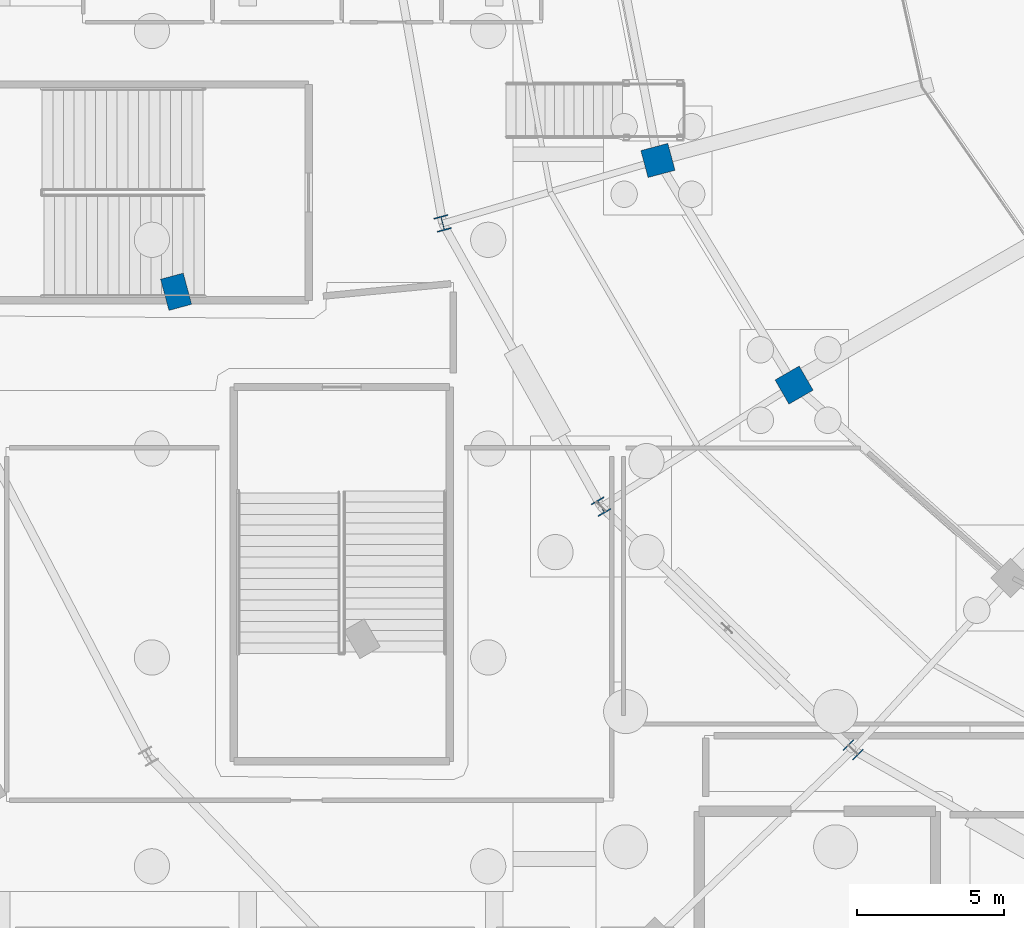
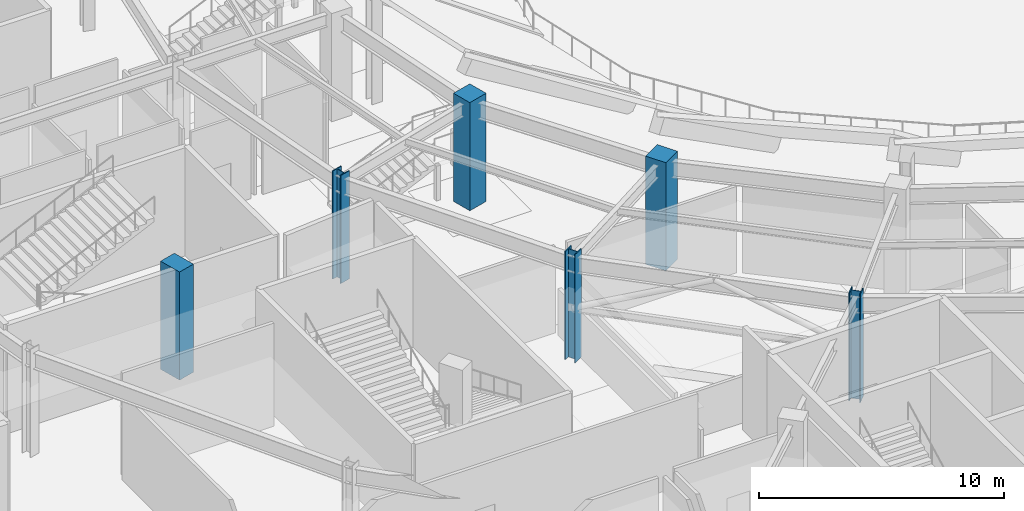
# One storey, part 12 of 93: 6 columns.
"""IFC4 building model written with IfcOpenShell, lengths in metres."""

from ifc_helpers import new_model, si_unit, direction, frame, origin, origin_2d, place, context, subcontext, project, spatial, rectangle, i_section, extrude, material, material_profile, profile_set, type_object, element, save


model = new_model("IFC4")

# Units and contexts
model_context = context("Model", 3, precision=1e-05, world=origin(), true_north=direction((0.0, 1.0)))
body_context = subcontext(model_context, "Body", "Model", "MODEL_VIEW")
ifc_project = project(units=[si_unit("LENGTHUNIT", "METRE"), si_unit("AREAUNIT", "SQUARE_METRE"), si_unit("VOLUMEUNIT", "CUBIC_METRE"), si_unit("PLANEANGLEUNIT", "RADIAN"), si_unit("MASSUNIT", "GRAM", prefix="KILO")], contexts=[model_context])

# Site, building, storey
site_placement = place(None, origin())
site = spatial("IfcSite", under=ifc_project, at=site_placement, CompositionType="ELEMENT")
building_placement = place(site_placement, origin())
building = spatial("IfcBuilding", under=site, at=building_placement, Name="Kalgoora Escarpment Arena", CompositionType="ELEMENT")
storey_placement = place(building_placement, origin())
storey = spatial("IfcBuildingStorey", under=building, at=storey_placement, Name="L00", CompositionType="ELEMENT", Elevation=0.0)

# Columns
ifc_material_1 = material(Name="Structural steel Grade 350 (350 MPa)", Category="steel")
ifc_material_profile_1 = material_profile(ifc_material_1, i_section(OverallWidth=0.5, OverallDepth=0.5, WebThickness=0.02490234375, FlangeThickness=0.0419921875, at=origin_2d()))
ifc_profile_set_1 = profile_set([ifc_material_profile_1], Name="Structural steel Grade 350 (350 MPa)")
column_type_1 = type_object("IfcColumnType", Name="COL-COL-500WC440", PredefinedType="COLUMN", material=ifc_profile_set_1)
for number, where, z_axis, x_axis, name in (
    (1, (40.239990234375, 53.647216796875, 0.0), (0.0, 0.0, 1.0), (-0.965925826289, -0.258819045103, 0.0), "L00 structural column COL-RMAIN-R14"),
    (2, (45.634521484375, 44.0, 0.0), (0.0, 0.0, 1.0), (-0.866025403784, -0.5, 0.0), "L00 structural column COL-RMAIN-R15"),
    (3, (54.21630859375, 35.7158203125, 0.0), (0.0, 0.0, 1.0), (-0.707106781187, -0.707106781187, 0.0), "L00 structural column COL-RMAIN-R16"),
):
    element("IfcColumn", number, at=place(storey_placement, frame(where, z_axis=z_axis, x_axis=x_axis)), inside=storey, type_object=column_type_1, Name=name, PredefinedType="COLUMN", context=body_context, shape_type="SweptSolid", body=[
        extrude(i_section(OverallWidth=0.5, OverallDepth=0.5, WebThickness=0.02490234375, FlangeThickness=0.0419921875, at=origin_2d()), origin(), (0.0, 0.0, 1.0), 5.39990234375),
    ])
ifc_material_2 = material(Name="Concrete N50 (fc' 50 MPa)", Category="concrete")
ifc_material_profile_2 = material_profile(ifc_material_2, rectangle(XDim=0.800048828125, YDim=1.10009765625, at=origin_2d()))
ifc_profile_set_2 = profile_set([ifc_material_profile_2], Name="Concrete N50 (fc' 50 MPa)")
column_type_2 = type_object("IfcColumnType", Name="COL-COL-RC1100x800", PredefinedType="COLUMN", material=ifc_profile_set_2)
column_placement = place(storey_placement, frame((31.160400390625, 51.31787109375, 0.0), z_axis=(0.0, 0.0, 1.0), x_axis=(-0.965925826289, -0.258819045103, 0.0)))
element("IfcColumn", 4, at=column_placement, inside=storey, type_object=column_type_2, Name="L00 structural column COL-RCONC1-R14", PredefinedType="COLUMN", context=body_context, shape_type="SweptSolid", body=[
    extrude(rectangle(XDim=0.800048828125, YDim=1.10009765625, at=origin_2d()), origin(), (0.0, 0.0, 1.0), 5.39990234375),
])
ifc_material_3 = material(Name="Concrete N50 (fc' 50 MPa)", Category="concrete")
ifc_material_profile_3 = material_profile(ifc_material_3, rectangle(XDim=0.949951171875, YDim=0.949951171875, at=origin_2d()))
ifc_profile_set_3 = profile_set([ifc_material_profile_3], Name="Concrete N50 (fc' 50 MPa)")
column_type_3 = type_object("IfcColumnType", Name="COL-COL-RC950x950", PredefinedType="COLUMN", material=ifc_profile_set_3)
for number, where, z_axis, x_axis, name in (
    (5, (47.5712890625, 55.790283203125, 0.0), (0.0, 0.0, 1.0), (-0.965925826289, -0.258819045103, 0.0), "L00 structural column COL-RMID-R14"),
    (6, (52.207763671875, 48.139892578125, 0.0), (0.0, 0.0, 1.0), (-0.866025403784, -0.5, 0.0), "L00 structural column COL-RMID-R15"),
):
    element("IfcColumn", number, at=place(storey_placement, frame(where, z_axis=z_axis, x_axis=x_axis)), inside=storey, type_object=column_type_3, Name=name, PredefinedType="COLUMN", context=body_context, shape_type="SweptSolid", body=[
        extrude(rectangle(XDim=0.949951171875, YDim=0.949951171875, at=origin_2d()), origin(), (0.0, 0.0, 1.0), 5.39990234375),
    ])

save(model, "model.ifc")
